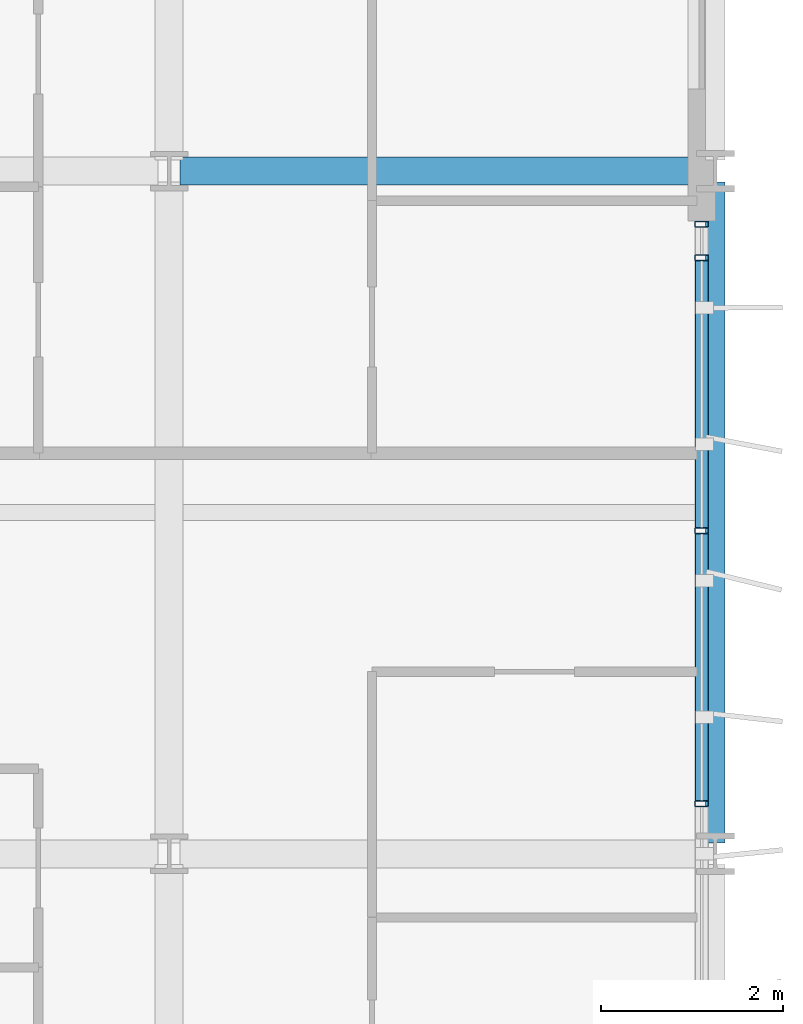
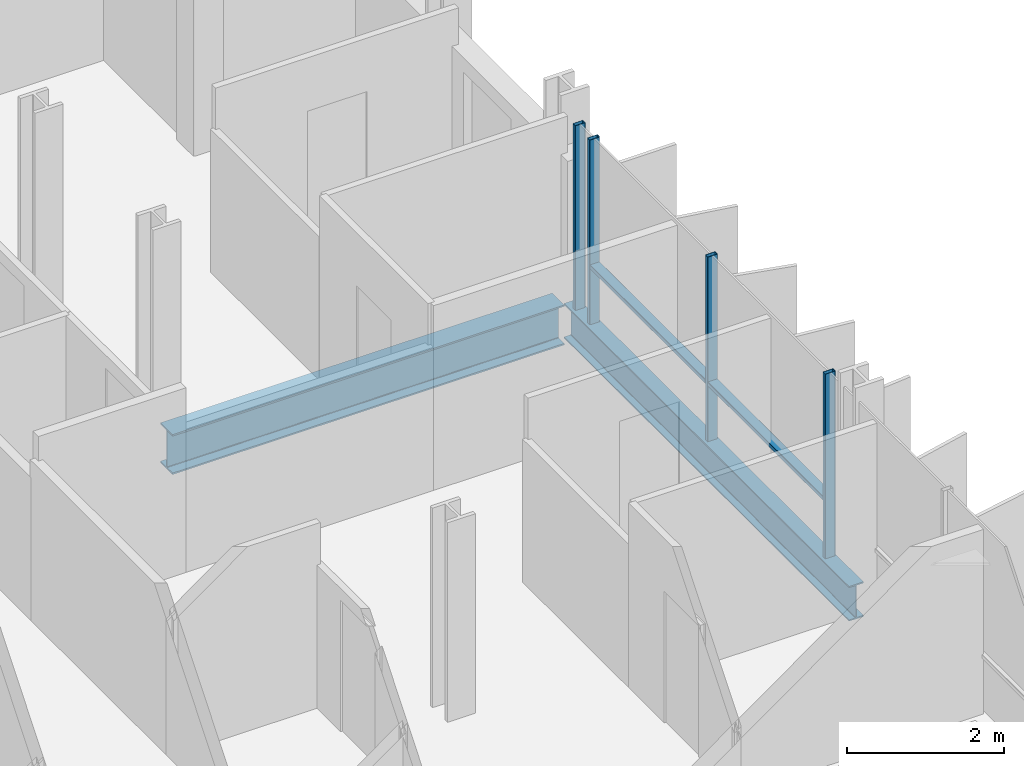
# One storey, part 19 of 39: 6 members, 2 beams, 1 element without a shape of its own.
"""IFC4 building model written with IfcOpenShell, lengths in metres."""

from ifc_helpers import new_model, si_unit, direction, frame, origin, origin_2d, place, context, subcontext, project, spatial, hollow_rectangle, i_section, extrude, material, layer, layer_set, material_profile, profile_set, type_object, element, aggregate, save


model = new_model("IFC4")

# Units and contexts
model_context = context("Model", 3, precision=1e-05, world=origin(), true_north=direction((0.0, 1.0)))
body_context = subcontext(model_context, "Body", "Model", "MODEL_VIEW")
ifc_project = project(units=[si_unit("LENGTHUNIT", "METRE"), si_unit("AREAUNIT", "SQUARE_METRE"), si_unit("VOLUMEUNIT", "CUBIC_METRE"), si_unit("PLANEANGLEUNIT", "RADIAN"), si_unit("MASSUNIT", "GRAM", prefix="KILO")], contexts=[model_context])

# Site, building, storey
site_placement = place(None, origin())
site = spatial("IfcSite", under=ifc_project, at=site_placement, CompositionType="ELEMENT")
building_placement = place(site_placement, origin())
building = spatial("IfcBuilding", under=site, at=building_placement, Name="Brevholm Reach", CompositionType="ELEMENT")
storey_placement = place(building_placement, frame((0.0, 0.0, 90.0)))
storey = spatial("IfcBuildingStorey", under=building, at=storey_placement, Name="L26", CompositionType="ELEMENT", Elevation=90.0)

# Beams
ifc_material_1 = material(Name="Structural Steel S355J2", Category="steel")
ifc_material_profile_1 = material_profile(ifc_material_1, i_section(OverallWidth=0.210693359375, OverallDepth=0.53955078125, WebThickness=0.01171875, FlangeThickness=0.018798828125, FilletRadius=0.0126953125, at=origin_2d()), Name="UKB 533x210x109")
ifc_profile_set_1 = profile_set([ifc_material_profile_1], Name="Structural Steel S355J2")
beam_type_1 = type_object("IfcBeamType", Name="BM-SP539", PredefinedType="SPANDREL", material=ifc_profile_set_1)
beam_1_placement = place(storey_placement, frame((60.0, 16.1201171875, -0.499755859375), z_axis=(0.0, 1.0, 0.0), x_axis=(-1.0, 0.0, 0.0)))
element("IfcBeam", 1, at=beam_1_placement, inside=storey, type_object=beam_type_1, Name="L26 SP-01B Framing Beam", PredefinedType="SPANDREL", context=body_context, shape_type="SweptSolid", body=[
    extrude(i_section(OverallWidth=0.210693359375, OverallDepth=0.53955078125, WebThickness=0.01171875, FlangeThickness=0.018798828125, FilletRadius=0.0126953125, at=origin_2d()), origin(), (0.0, 0.0, 1.0), 7.259765625),
])
ifc_material_2 = material(Name="Structural Steel S355J2", Category="steel")
ifc_material_profile_2 = material_profile(ifc_material_2, i_section(OverallWidth=0.30712890625, OverallDepth=0.6201171875, WebThickness=0.01416015625, FlangeThickness=0.023681640625, FilletRadius=0.0166015625, at=origin_2d()), Name="UKB 610x305x179")
ifc_profile_set_2 = profile_set([ifc_material_profile_2], Name="Structural Steel S355J2")
beam_type_2 = type_object("IfcBeamType", Name="BM-UKB610H", PredefinedType="USERDEFINED", material=ifc_profile_set_2)
beam_2_placement = place(storey_placement, frame((54.1201171875, 23.5, -0.5400390625), z_axis=(1.0, 0.0, 0.0), x_axis=(0.0, 1.0, 0.0)))
element("IfcBeam", 2, at=beam_2_placement, inside=storey, type_object=beam_type_2, Name="L26 G-06 Framing Beam", ObjectType="GIRDER", PredefinedType="USERDEFINED", context=body_context, shape_type="SweptSolid", body=[
    extrude(i_section(OverallWidth=0.30712890625, OverallDepth=0.6201171875, WebThickness=0.01416015625, FlangeThickness=0.023681640625, FilletRadius=0.0166015625, at=origin_2d()), origin(), (0.0, 0.0, 1.0), 5.759765625),
])

# Curtain wall, members
ifc_material_3 = material(Name="Dark Anodised Aluminium 6063-T6 and Solar-Control Glass", Category="aluminium")
ifc_layer = layer(ifc_material_3, 0.14990234375)
ifc_layer_set = layer_set([ifc_layer], Name="Dark Anodised Aluminium 6063-T6 and Solar-Control Glass")
curtain_wall_type = type_object("IfcCurtainWallType", Name="CW-01", PredefinedType="NOTDEFINED", material=ifc_layer_set)
curtain_wall_placement = place(storey_placement, origin())
curtain_wall = element("IfcCurtainWall", 3, at=curtain_wall_placement, inside=storey, type_object=curtain_wall_type, Name="L26 Curtain Wall CW-01", PredefinedType="NOTDEFINED")
ifc_material_4 = material(Name="Dark Anodised Aluminium 6063-T6", Category="aluminium")
ifc_material_profile_3 = material_profile(ifc_material_4, hollow_rectangle(XDim=0.06494140625, YDim=0.14990234375, WallThickness=0.0048828125, InnerFilletRadius=0.0048828125, OuterFilletRadius=0.010009765625, at=origin_2d()), Name="RHS 150x65x5")
ifc_profile_set_3 = profile_set([ifc_material_profile_3], Name="Dark Anodised Aluminium 6063-T6")
member_type_1 = type_object("IfcMemberType", Name="CWM-150", PredefinedType="MULLION", material=ifc_profile_set_3)
member_1_placement = place(storey_placement, frame((59.85009765625, 16.550048828125, 0.0), z_axis=(0.0, 0.0, 1.0), x_axis=(0.0, 1.0, 0.0)))
member_1 = element("IfcMember", 4, at=member_1_placement, type_object=member_type_1, Name="CM-150 Mullion 3", PredefinedType="MULLION", context=body_context, shape_type="SweptSolid", body=[
    extrude(hollow_rectangle(XDim=0.06494140625, YDim=0.14990234375, WallThickness=0.0048828125, InnerFilletRadius=0.0048828125, OuterFilletRadius=0.010009765625, at=origin_2d()), origin(), (0.0, 0.0, 1.0), 2.8701171875),
])
member_2_placement = place(storey_placement, frame((59.85009765625, 19.550048828125, 0.0), z_axis=(0.0, 0.0, 1.0), x_axis=(0.0, 1.0, 0.0)))
member_2 = element("IfcMember", 5, at=member_2_placement, type_object=member_type_1, Name="CM-150 Mullion 4", PredefinedType="MULLION", context=body_context, shape_type="SweptSolid", body=[
    extrude(hollow_rectangle(XDim=0.06494140625, YDim=0.14990234375, WallThickness=0.0048828125, InnerFilletRadius=0.0048828125, OuterFilletRadius=0.010009765625, at=origin_2d()), origin(), (0.0, 0.0, 1.0), 2.8701171875),
])
member_3_placement = place(storey_placement, frame((59.85009765625, 22.550048828125, 0.0), z_axis=(0.0, 0.0, 1.0), x_axis=(0.0, 1.0, 0.0)))
member_3 = element("IfcMember", 6, at=member_3_placement, type_object=member_type_1, Name="CM-150 Mullion 5", PredefinedType="MULLION", context=body_context, shape_type="SweptSolid", body=[
    extrude(hollow_rectangle(XDim=0.06494140625, YDim=0.14990234375, WallThickness=0.0048828125, InnerFilletRadius=0.0048828125, OuterFilletRadius=0.010009765625, at=origin_2d()), origin(), (0.0, 0.0, 1.0), 2.8701171875),
])
member_4_placement = place(storey_placement, frame((59.85009765625, 22.91748046875, 0.0), z_axis=(0.0, 0.0, 1.0), x_axis=(0.0, 1.0, 0.0)))
member_4 = element("IfcMember", 7, at=member_4_placement, type_object=member_type_1, Name="CM-150 Mullion 6", PredefinedType="MULLION", context=body_context, shape_type="SweptSolid", body=[
    extrude(hollow_rectangle(XDim=0.06494140625, YDim=0.14990234375, WallThickness=0.0048828125, InnerFilletRadius=0.0048828125, OuterFilletRadius=0.010009765625, at=origin_2d()), origin(), (0.0, 0.0, 1.0), 2.8701171875),
])
ifc_material_5 = material(Name="Dark Anodised Aluminium 6063-T6", Category="aluminium")
ifc_material_profile_4 = material_profile(ifc_material_5, hollow_rectangle(XDim=0.06494140625, YDim=0.14990234375, WallThickness=0.0048828125, InnerFilletRadius=0.0048828125, OuterFilletRadius=0.010009765625, at=origin_2d()), Name="RHS 150x65x5")
ifc_profile_set_4 = profile_set([ifc_material_profile_4], Name="Dark Anodised Aluminium 6063-T6")
member_type_2 = type_object("IfcMemberType", Name="CWT-150", PredefinedType="NOTDEFINED", material=ifc_profile_set_4)
member_5_placement = place(storey_placement, frame((59.85009765625, 16.58251953125, 0.89990234375), z_axis=(0.0, 1.0, 0.0), x_axis=(0.0, 0.0, 1.0)))
member_5 = element("IfcMember", 8, at=member_5_placement, type_object=member_type_2, Name="CT-150 Transom 3.1", ObjectType="TRANSOM", PredefinedType="USERDEFINED", context=body_context, shape_type="SweptSolid", body=[
    extrude(hollow_rectangle(XDim=0.06494140625, YDim=0.14990234375, WallThickness=0.0048828125, InnerFilletRadius=0.0048828125, OuterFilletRadius=0.010009765625, at=origin_2d()), origin(), (0.0, 0.0, 1.0), 2.93505859375),
])
member_6_placement = place(storey_placement, frame((59.85009765625, 19.58251953125, 0.89990234375), z_axis=(0.0, 1.0, 0.0), x_axis=(0.0, 0.0, 1.0)))
member_6 = element("IfcMember", 9, at=member_6_placement, type_object=member_type_2, Name="CT-150 Transom 4.1", ObjectType="TRANSOM", PredefinedType="USERDEFINED", context=body_context, shape_type="SweptSolid", body=[
    extrude(hollow_rectangle(XDim=0.06494140625, YDim=0.14990234375, WallThickness=0.0048828125, InnerFilletRadius=0.0048828125, OuterFilletRadius=0.010009765625, at=origin_2d()), origin(), (0.0, 0.0, 1.0), 2.93505859375),
])
aggregate(curtain_wall, [member_1, member_2, member_3, member_4, member_5, member_6])

save(model, "model.ifc")
